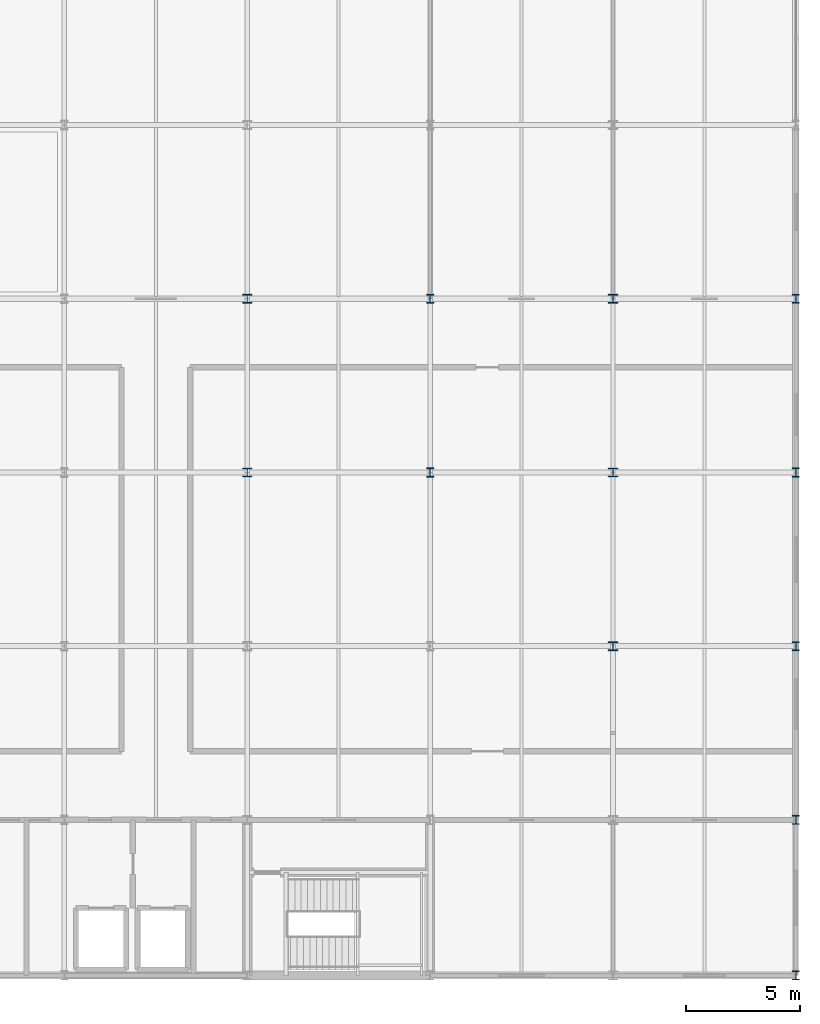
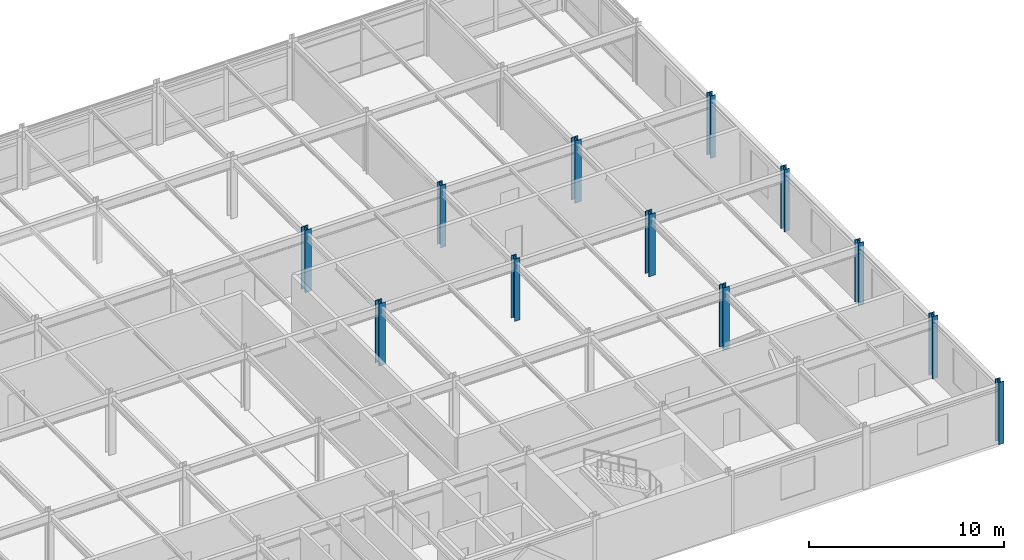
# One storey, part 2 of 14: 12 columns.
"""IFC4 building model written with IfcOpenShell, lengths in metres."""

from ifc_helpers import new_model, si_unit, direction, frame, origin, origin_2d, place, context, subcontext, project, spatial, i_section, extrude, material, material_profile, profile_set, type_object, element, save


model = new_model("IFC4")

# Units and contexts
model_context = context("Model", 3, precision=1e-05, world=origin(), true_north=direction((0.0, 1.0)))
body_context = subcontext(model_context, "Body", "Model", "MODEL_VIEW")
ifc_project = project(units=[si_unit("LENGTHUNIT", "METRE"), si_unit("AREAUNIT", "SQUARE_METRE"), si_unit("VOLUMEUNIT", "CUBIC_METRE"), si_unit("PLANEANGLEUNIT", "RADIAN"), si_unit("MASSUNIT", "GRAM", prefix="KILO")], contexts=[model_context])

# Site, building, storey
site_placement = place(None, origin())
site = spatial("IfcSite", under=ifc_project, at=site_placement, CompositionType="ELEMENT")
building_placement = place(site_placement, origin())
building = spatial("IfcBuilding", under=site, at=building_placement, Name="Shalkamar Park Central Library", CompositionType="ELEMENT")
storey_placement = place(building_placement, frame((0.0, 0.0, 28.199951171875)))
storey = spatial("IfcBuildingStorey", under=building, at=storey_placement, Name="L07", CompositionType="ELEMENT", Elevation=28.199951171875)

# Columns
ifc_material = material(Name="Steel S355", Category="steel")
ifc_material_profile_1 = material_profile(ifc_material, i_section(OverallWidth=0.39794921875, OverallDepth=0.386962890625, WebThickness=0.02099609375, FlangeThickness=0.033203125, FilletRadius=0.014892578125, at=origin_2d()), Name="HD 400x262")
ifc_profile_set_1 = profile_set([ifc_material_profile_1], Name="Steel S355")
column_type_1 = type_object("IfcColumnType", Name="Column Steel HD400x262", PredefinedType="COLUMN", material=ifc_profile_set_1)
for number, where, z_axis, x_axis, name in (
    (1, (197.0, 270.39990234375, 0.0), (0.0, 0.0, 1.0), (1.0, 0.0, 0.0), "Column 11/E (L07)"),
    (2, (197.0, 278.0, 0.0), (0.0, 0.0, 1.0), (1.0, 0.0, 0.0), "Column 11/F (L07)"),
    (3, (213.0, 262.800048828125, 0.0), (0.0, 0.0, 1.0), (1.0, 0.0, 0.0), "Column 13/D (L07)"),
    (4, (213.0, 270.39990234375, 0.0), (0.0, 0.0, 1.0), (1.0, 0.0, 0.0), "Column 13/E (L07)"),
    (5, (213.0, 278.0, 0.0), (0.0, 0.0, 1.0), (1.0, 0.0, 0.0), "Column 13/F (L07)"),
):
    element("IfcColumn", number, at=place(storey_placement, frame(where, z_axis=z_axis, x_axis=x_axis)), inside=storey, type_object=column_type_1, Name=name, PredefinedType="COLUMN", context=body_context, shape_type="SweptSolid", body=[
        extrude(i_section(OverallWidth=0.39794921875, OverallDepth=0.386962890625, WebThickness=0.02099609375, FlangeThickness=0.033203125, FilletRadius=0.014892578125, at=origin_2d()), origin(), (0.0, 0.0, 1.0), 3.900146484375),
    ])
ifc_material_profile_2 = material_profile(ifc_material, i_section(OverallWidth=0.30810546875, OverallDepth=0.39501953125, WebThickness=0.02099609375, FlangeThickness=0.0400390625, FilletRadius=0.027099609375, at=origin_2d()), Name="HEM 360")
ifc_profile_set_2 = profile_set([ifc_material_profile_2], Name="Steel S355")
column_type_2 = type_object("IfcColumnType", Name="Column Steel HEM360", PredefinedType="COLUMN", material=ifc_profile_set_2)
for number, where, z_axis, x_axis, name in (
    (6, (205.0, 270.39990234375, 0.0), (0.0, 0.0, 1.0), (1.0, 0.0, 0.0), "Column 12/E (L07)"),
    (7, (205.0, 278.0, 0.0), (0.0, 0.0, 1.0), (1.0, 0.0, 0.0), "Column 12/F (L07)"),
    (8, (221.0, 248.39990234375, 0.0), (0.0, 0.0, 1.0), (1.0, 0.0, 0.0), "Column 14/B (L07)"),
    (9, (221.0, 255.199951171875, 0.0), (0.0, 0.0, 1.0), (1.0, 0.0, 0.0), "Column 14/C (L07)"),
    (10, (221.0, 262.800048828125, 0.0), (0.0, 0.0, 1.0), (1.0, 0.0, 0.0), "Column 14/D (L07)"),
    (11, (221.0, 270.39990234375, 0.0), (0.0, 0.0, 1.0), (1.0, 0.0, 0.0), "Column 14/E (L07)"),
    (12, (221.0, 278.0, 0.0), (0.0, 0.0, 1.0), (1.0, 0.0, 0.0), "Column 14/F (L07)"),
):
    element("IfcColumn", number, at=place(storey_placement, frame(where, z_axis=z_axis, x_axis=x_axis)), inside=storey, type_object=column_type_2, Name=name, PredefinedType="COLUMN", context=body_context, shape_type="SweptSolid", body=[
        extrude(i_section(OverallWidth=0.30810546875, OverallDepth=0.39501953125, WebThickness=0.02099609375, FlangeThickness=0.0400390625, FilletRadius=0.027099609375, at=origin_2d()), origin(), (0.0, 0.0, 1.0), 3.900146484375),
    ])

save(model, "model.ifc")
